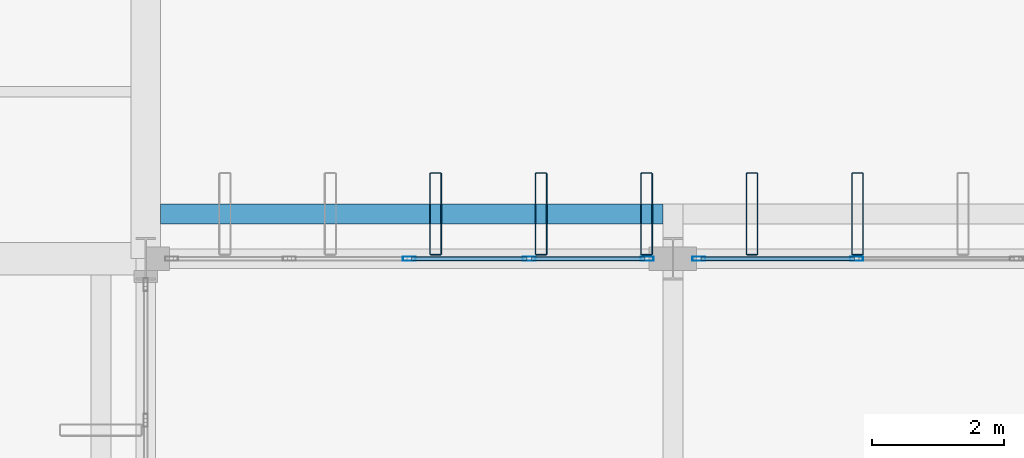
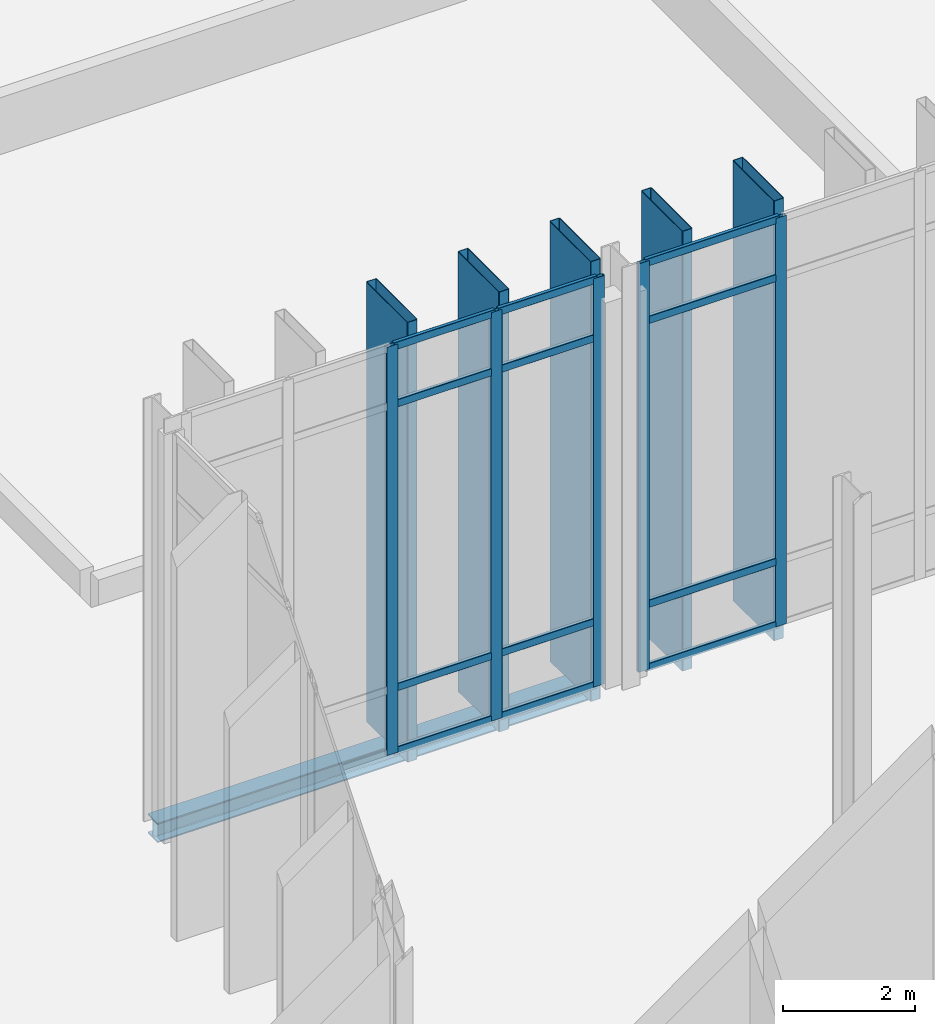
# One storey, part 60 of 176: 22 members, 1 beam, 2 elements without a shape of their own.
"""IFC4 building model written with IfcOpenShell, lengths in metres."""

from ifc_helpers import new_model, si_unit, direction, frame, origin, origin_2d, place, context, subcontext, project, spatial, hollow_rectangle, i_section, extrude, material, layer, layer_set, material_profile, profile_set, type_object, element, aggregate, save


model = new_model("IFC4")

# Units and contexts
model_context = context("Model", 3, precision=1e-05, world=origin(), true_north=direction((0.0, 1.0)))
body_context = subcontext(model_context, "Body", "Model", "MODEL_VIEW")
ifc_project = project(units=[si_unit("LENGTHUNIT", "METRE"), si_unit("AREAUNIT", "SQUARE_METRE"), si_unit("VOLUMEUNIT", "CUBIC_METRE"), si_unit("PLANEANGLEUNIT", "RADIAN"), si_unit("MASSUNIT", "GRAM", prefix="KILO")], contexts=[model_context])

# Site, building, storey
site_placement = place(None, origin())
site = spatial("IfcSite", under=ifc_project, at=site_placement, CompositionType="ELEMENT")
building_placement = place(site_placement, origin())
building = spatial("IfcBuilding", under=site, at=building_placement, Name="Vekula Escarpment Museum", CompositionType="ELEMENT")
storey_placement = place(building_placement, origin())
storey = spatial("IfcBuildingStorey", under=building, at=storey_placement, Name="L01", CompositionType="ELEMENT", Elevation=0.0)

# Beam
ifc_material_1 = material(Name="Steel S355", Category="steel")
ifc_material_profile_1 = material_profile(ifc_material_1, i_section(OverallWidth=0.300048828125, OverallDepth=0.360107421875, WebThickness=0.012451171875, FlangeThickness=0.0224609375, FilletRadius=0.027099609375, at=origin_2d()), Name="HEB 360")
ifc_profile_set_1 = profile_set([ifc_material_profile_1], Name="Steel S355")
beam_type = type_object("IfcBeamType", Name="BM-GIRD-HEB360", PredefinedType="BEAM", material=ifc_profile_set_1)
beam_placement = place(storey_placement, frame((70.22509765625, 91.080078125, -0.47998046875), z_axis=(1.0, 0.0, 0.0), x_axis=(0.0, 1.0, 0.0)))
element("IfcBeam", 1, at=beam_placement, inside=storey, type_object=beam_type, Name="Solar Fin Sill Girder 010", PredefinedType="BEAM", context=body_context, shape_type="SweptSolid", body=[
    extrude(i_section(OverallWidth=0.300048828125, OverallDepth=0.360107421875, WebThickness=0.012451171875, FlangeThickness=0.0224609375, FilletRadius=0.027099609375, at=origin_2d()), origin(), (0.0, 0.0, 1.0), 7.625),
])

# Curtain wall, members
ifc_material_2 = material(Name="Aluminium thermally broken framing", Category="aluminium")
ifc_layer_1 = layer(ifc_material_2, 0.169921875)
ifc_layer_set_1 = layer_set([ifc_layer_1], Name="Aluminium thermally broken framing")
curtain_wall_type_1 = type_object("IfcCurtainWallType", Name="CW-SYS-10", PredefinedType="NOTDEFINED", material=ifc_layer_set_1)
curtain_wall_1_placement = place(storey_placement, origin())
curtain_wall_1 = element("IfcCurtainWall", 2, at=curtain_wall_1_placement, inside=storey, type_object=curtain_wall_type_1, Name="Curtain Wall CW-L01-040", PredefinedType="NOTDEFINED")
ifc_material_3 = material(Name="Aluminium anodized mullion", Category="aluminium")
ifc_material_profile_2 = material_profile(ifc_material_3, hollow_rectangle(XDim=0.06494140625, YDim=0.199951171875, WallThickness=0.00390625, InnerFilletRadius=0.00390625, OuterFilletRadius=0.008056640625, at=origin_2d()), Name="ALU 200x65x4")
ifc_profile_set_2 = profile_set([ifc_material_profile_2], Name="Aluminium anodized mullion")
member_type_1 = type_object("IfcMemberType", Name="CW-MUL-200", PredefinedType="MULLION", material=ifc_profile_set_2)
member_1_placement = place(storey_placement, frame((80.78662109375, 90.39990234375, 0.0), z_axis=(0.0, 0.0, 1.0), x_axis=(0.0, -1.0, 0.0)))
member_1 = element("IfcMember", 3, at=member_1_placement, type_object=member_type_1, Name="CW-10 mullion 3", PredefinedType="MULLION", context=body_context, shape_type="SweptSolid", body=[
    extrude(hollow_rectangle(XDim=0.06494140625, YDim=0.199951171875, WallThickness=0.00390625, InnerFilletRadius=0.00390625, OuterFilletRadius=0.008056640625, at=origin_2d()), origin(), (0.0, 0.0, 1.0), 7.5400390625),
])
member_2_placement = place(storey_placement, frame((78.392578125, 90.39990234375, 0.0), z_axis=(0.0, 0.0, 1.0), x_axis=(0.0, -1.0, 0.0)))
member_2 = element("IfcMember", 4, at=member_2_placement, type_object=member_type_1, Name="CW-10 mullion 4", PredefinedType="MULLION", context=body_context, shape_type="SweptSolid", body=[
    extrude(hollow_rectangle(XDim=0.06494140625, YDim=0.199951171875, WallThickness=0.00390625, InnerFilletRadius=0.00390625, OuterFilletRadius=0.008056640625, at=origin_2d()), origin(), (0.0, 0.0, 1.0), 7.5400390625),
])

ifc_material_4 = material(Name="Aluminium thermally broken framing", Category="aluminium")
ifc_layer_2 = layer(ifc_material_4, 0.159912109375)
ifc_layer_set_2 = layer_set([ifc_layer_2], Name="Aluminium thermally broken framing")
curtain_wall_type_2 = type_object("IfcCurtainWallType", Name="CW-SYS-01", PredefinedType="NOTDEFINED", material=ifc_layer_set_2)
curtain_wall_2_placement = place(storey_placement, origin())
curtain_wall_2 = element("IfcCurtainWall", 5, at=curtain_wall_2_placement, inside=storey, type_object=curtain_wall_type_2, Name="Curtain Wall CW-L01-041", PredefinedType="NOTDEFINED")
member_3_placement = place(storey_placement, frame((77.607421875, 90.39990234375, 0.0), z_axis=(0.0, 0.0, 1.0), x_axis=(0.0, -1.0, 0.0)))
member_3 = element("IfcMember", 6, at=member_3_placement, type_object=member_type_1, Name="CW-01 mullion 1", PredefinedType="MULLION", context=body_context, shape_type="SweptSolid", body=[
    extrude(hollow_rectangle(XDim=0.06494140625, YDim=0.199951171875, WallThickness=0.00390625, InnerFilletRadius=0.00390625, OuterFilletRadius=0.008056640625, at=origin_2d()), origin(), (0.0, 0.0, 1.0), 7.5400390625),
])
member_4_placement = place(storey_placement, frame((75.820068359375, 90.39990234375, 0.0), z_axis=(0.0, 0.0, 1.0), x_axis=(0.0, -1.0, 0.0)))
member_4 = element("IfcMember", 7, at=member_4_placement, type_object=member_type_1, Name="CW-01 mullion 2", PredefinedType="MULLION", context=body_context, shape_type="SweptSolid", body=[
    extrude(hollow_rectangle(XDim=0.06494140625, YDim=0.199951171875, WallThickness=0.00390625, InnerFilletRadius=0.00390625, OuterFilletRadius=0.008056640625, at=origin_2d()), origin(), (0.0, 0.0, 1.0), 7.5400390625),
])
member_5_placement = place(storey_placement, frame((74.0, 90.39990234375, 0.0), z_axis=(0.0, 0.0, 1.0), x_axis=(0.0, -1.0, 0.0)))
member_5 = element("IfcMember", 8, at=member_5_placement, type_object=member_type_1, Name="CW-01 mullion 3", PredefinedType="MULLION", context=body_context, shape_type="SweptSolid", body=[
    extrude(hollow_rectangle(XDim=0.06494140625, YDim=0.199951171875, WallThickness=0.00390625, InnerFilletRadius=0.00390625, OuterFilletRadius=0.008056640625, at=origin_2d()), origin(), (0.0, 0.0, 1.0), 7.5400390625),
])

# Member
ifc_material_5 = material(Name="Aluminium anodized transom", Category="aluminium")
ifc_material_profile_3 = material_profile(ifc_material_5, hollow_rectangle(XDim=0.06494140625, YDim=0.139892578125, WallThickness=0.00390625, InnerFilletRadius=0.00390625, OuterFilletRadius=0.008056640625, at=origin_2d()), Name="ALU 140x65x4")
ifc_profile_set_3 = profile_set([ifc_material_profile_3], Name="Aluminium anodized transom")
member_type_2 = type_object("IfcMemberType", Name="CW-TRN-140", PredefinedType="USERDEFINED", material=ifc_profile_set_3)
member_6_placement = place(storey_placement, frame((80.754150390625, 90.39990234375, 0.032470703125), z_axis=(-1.0, 0.0, 0.0), x_axis=(0.0, -1.0, 0.0)))
member_6 = element("IfcMember", 9, at=member_6_placement, type_object=member_type_2, Name="CW-10 transom 3.1", ObjectType="TRANSOM", PredefinedType="USERDEFINED", context=body_context, shape_type="SweptSolid", body=[
    extrude(hollow_rectangle(XDim=0.06494140625, YDim=0.139892578125, WallThickness=0.00390625, InnerFilletRadius=0.00390625, OuterFilletRadius=0.008056640625, at=origin_2d()), origin(), (0.0, 0.0, 1.0), 2.3291015625),
])

member_7_placement = place(storey_placement, frame((80.754150390625, 90.39990234375, 1.199951171875), z_axis=(-1.0, 0.0, 0.0), x_axis=(0.0, -1.0, 0.0)))
member_7 = element("IfcMember", 10, at=member_7_placement, type_object=member_type_2, Name="CW-10 transom 3.2", ObjectType="TRANSOM", PredefinedType="USERDEFINED", context=body_context, shape_type="SweptSolid", body=[
    extrude(hollow_rectangle(XDim=0.06494140625, YDim=0.139892578125, WallThickness=0.00390625, InnerFilletRadius=0.00390625, OuterFilletRadius=0.008056640625, at=origin_2d()), origin(), (0.0, 0.0, 1.0), 2.3291015625),
])

member_8_placement = place(storey_placement, frame((80.754150390625, 90.39990234375, 6.43994140625), z_axis=(-1.0, 0.0, 0.0), x_axis=(0.0, -1.0, 0.0)))
member_8 = element("IfcMember", 11, at=member_8_placement, type_object=member_type_2, Name="CW-10 transom 3.3", ObjectType="TRANSOM", PredefinedType="USERDEFINED", context=body_context, shape_type="SweptSolid", body=[
    extrude(hollow_rectangle(XDim=0.06494140625, YDim=0.139892578125, WallThickness=0.00390625, InnerFilletRadius=0.00390625, OuterFilletRadius=0.008056640625, at=origin_2d()), origin(), (0.0, 0.0, 1.0), 2.3291015625),
])

member_9_placement = place(storey_placement, frame((80.754150390625, 90.39990234375, 7.507568359375), z_axis=(-1.0, 0.0, 0.0), x_axis=(0.0, -1.0, 0.0)))
member_9 = element("IfcMember", 12, at=member_9_placement, type_object=member_type_2, Name="CW-10 transom 3.4", ObjectType="TRANSOM", PredefinedType="USERDEFINED", context=body_context, shape_type="SweptSolid", body=[
    extrude(hollow_rectangle(XDim=0.06494140625, YDim=0.139892578125, WallThickness=0.00390625, InnerFilletRadius=0.00390625, OuterFilletRadius=0.008056640625, at=origin_2d()), origin(), (0.0, 0.0, 1.0), 2.3291015625),
])

aggregate(curtain_wall_1, [member_1, member_2, member_6, member_7, member_8, member_9])

member_10_placement = place(storey_placement, frame((77.574951171875, 90.39990234375, 0.032470703125), z_axis=(-1.0, 0.0, 0.0), x_axis=(0.0, -1.0, 0.0)))
member_10 = element("IfcMember", 13, at=member_10_placement, type_object=member_type_2, Name="CW-01 transom 1.1", ObjectType="TRANSOM", PredefinedType="USERDEFINED", context=body_context, shape_type="SweptSolid", body=[
    extrude(hollow_rectangle(XDim=0.06494140625, YDim=0.139892578125, WallThickness=0.00390625, InnerFilletRadius=0.00390625, OuterFilletRadius=0.008056640625, at=origin_2d()), origin(), (0.0, 0.0, 1.0), 1.722412109375),
])

member_11_placement = place(storey_placement, frame((77.574951171875, 90.39990234375, 1.199951171875), z_axis=(-1.0, 0.0, 0.0), x_axis=(0.0, -1.0, 0.0)))
member_11 = element("IfcMember", 14, at=member_11_placement, type_object=member_type_2, Name="CW-01 transom 1.2", ObjectType="TRANSOM", PredefinedType="USERDEFINED", context=body_context, shape_type="SweptSolid", body=[
    extrude(hollow_rectangle(XDim=0.06494140625, YDim=0.139892578125, WallThickness=0.00390625, InnerFilletRadius=0.00390625, OuterFilletRadius=0.008056640625, at=origin_2d()), origin(), (0.0, 0.0, 1.0), 1.722412109375),
])

member_12_placement = place(storey_placement, frame((77.574951171875, 90.39990234375, 6.43994140625), z_axis=(-1.0, 0.0, 0.0), x_axis=(0.0, -1.0, 0.0)))
member_12 = element("IfcMember", 15, at=member_12_placement, type_object=member_type_2, Name="CW-01 transom 1.3", ObjectType="TRANSOM", PredefinedType="USERDEFINED", context=body_context, shape_type="SweptSolid", body=[
    extrude(hollow_rectangle(XDim=0.06494140625, YDim=0.139892578125, WallThickness=0.00390625, InnerFilletRadius=0.00390625, OuterFilletRadius=0.008056640625, at=origin_2d()), origin(), (0.0, 0.0, 1.0), 1.722412109375),
])

member_13_placement = place(storey_placement, frame((77.574951171875, 90.39990234375, 7.507568359375), z_axis=(-1.0, 0.0, 0.0), x_axis=(0.0, -1.0, 0.0)))
member_13 = element("IfcMember", 16, at=member_13_placement, type_object=member_type_2, Name="CW-01 transom 1.4", ObjectType="TRANSOM", PredefinedType="USERDEFINED", context=body_context, shape_type="SweptSolid", body=[
    extrude(hollow_rectangle(XDim=0.06494140625, YDim=0.139892578125, WallThickness=0.00390625, InnerFilletRadius=0.00390625, OuterFilletRadius=0.008056640625, at=origin_2d()), origin(), (0.0, 0.0, 1.0), 1.722412109375),
])

member_14_placement = place(storey_placement, frame((75.78759765625, 90.39990234375, 0.032470703125), z_axis=(-1.0, 0.0, 0.0), x_axis=(0.0, -1.0, 0.0)))
member_14 = element("IfcMember", 17, at=member_14_placement, type_object=member_type_2, Name="CW-01 transom 2.1", ObjectType="TRANSOM", PredefinedType="USERDEFINED", context=body_context, shape_type="SweptSolid", body=[
    extrude(hollow_rectangle(XDim=0.06494140625, YDim=0.139892578125, WallThickness=0.00390625, InnerFilletRadius=0.00390625, OuterFilletRadius=0.008056640625, at=origin_2d()), origin(), (0.0, 0.0, 1.0), 1.755126953125),
])

member_15_placement = place(storey_placement, frame((75.78759765625, 90.39990234375, 1.199951171875), z_axis=(-1.0, 0.0, 0.0), x_axis=(0.0, -1.0, 0.0)))
member_15 = element("IfcMember", 18, at=member_15_placement, type_object=member_type_2, Name="CW-01 transom 2.2", ObjectType="TRANSOM", PredefinedType="USERDEFINED", context=body_context, shape_type="SweptSolid", body=[
    extrude(hollow_rectangle(XDim=0.06494140625, YDim=0.139892578125, WallThickness=0.00390625, InnerFilletRadius=0.00390625, OuterFilletRadius=0.008056640625, at=origin_2d()), origin(), (0.0, 0.0, 1.0), 1.755126953125),
])

member_16_placement = place(storey_placement, frame((75.78759765625, 90.39990234375, 6.43994140625), z_axis=(-1.0, 0.0, 0.0), x_axis=(0.0, -1.0, 0.0)))
member_16 = element("IfcMember", 19, at=member_16_placement, type_object=member_type_2, Name="CW-01 transom 2.3", ObjectType="TRANSOM", PredefinedType="USERDEFINED", context=body_context, shape_type="SweptSolid", body=[
    extrude(hollow_rectangle(XDim=0.06494140625, YDim=0.139892578125, WallThickness=0.00390625, InnerFilletRadius=0.00390625, OuterFilletRadius=0.008056640625, at=origin_2d()), origin(), (0.0, 0.0, 1.0), 1.755126953125),
])

member_17_placement = place(storey_placement, frame((75.78759765625, 90.39990234375, 7.507568359375), z_axis=(-1.0, 0.0, 0.0), x_axis=(0.0, -1.0, 0.0)))
member_17 = element("IfcMember", 20, at=member_17_placement, type_object=member_type_2, Name="CW-01 transom 2.4", ObjectType="TRANSOM", PredefinedType="USERDEFINED", context=body_context, shape_type="SweptSolid", body=[
    extrude(hollow_rectangle(XDim=0.06494140625, YDim=0.139892578125, WallThickness=0.00390625, InnerFilletRadius=0.00390625, OuterFilletRadius=0.008056640625, at=origin_2d()), origin(), (0.0, 0.0, 1.0), 1.755126953125),
])

aggregate(curtain_wall_2, [member_3, member_4, member_5, member_10, member_11, member_12, member_13, member_14, member_15, member_16, member_17])

# Members
ifc_material_6 = material(Name="Steel S355 weathered bronze solar fin", Category="steel")
ifc_material_profile_4 = material_profile(ifc_material_6, hollow_rectangle(XDim=0.179931640625, YDim=1.25, WallThickness=0.010009765625, InnerFilletRadius=0.010009765625, OuterFilletRadius=0.02001953125, at=origin_2d()), Name="RHS 1250x180x10")
ifc_profile_set_4 = profile_set([ifc_material_profile_4], Name="Steel S355 weathered bronze solar fin")
member_type_3 = type_object("IfcMemberType", Name="MB-SOLAR-FIN", PredefinedType="USERDEFINED", material=ifc_profile_set_4)
for number, where, z_axis, x_axis, name in (
    (21, (74.39990234375, 91.080078125, -0.320068359375), (0.0, 0.0, 1.0), (1.0, 0.0, 0.0), "Great Hall Vertical Solar Fin 0141"),
    (22, (76.0, 91.080078125, -0.320068359375), (0.0, 0.0, 1.0), (1.0, 0.0, 0.0), "Great Hall Vertical Solar Fin 0146"),
    (23, (77.60009765625, 91.080078125, -0.320068359375), (0.0, 0.0, 1.0), (1.0, 0.0, 0.0), "Great Hall Vertical Solar Fin 0151"),
    (24, (79.199951171875, 91.080078125, -0.320068359375), (0.0, 0.0, 1.0), (1.0, 0.0, 0.0), "Great Hall Vertical Solar Fin 0156"),
    (25, (80.800048828125, 91.080078125, -0.320068359375), (0.0, 0.0, 1.0), (1.0, 0.0, 0.0), "Great Hall Vertical Solar Fin 0161"),
):
    element("IfcMember", number, at=place(storey_placement, frame(where, z_axis=z_axis, x_axis=x_axis)), inside=storey, type_object=member_type_3, Name=name, ObjectType="SOLAR FIN", PredefinedType="USERDEFINED", context=body_context, shape_type="SweptSolid", body=[
        extrude(hollow_rectangle(XDim=0.179931640625, YDim=1.25, WallThickness=0.010009765625, InnerFilletRadius=0.010009765625, OuterFilletRadius=0.02001953125, at=origin_2d()), origin(), (0.0, 0.0, 1.0), 8.1201171875),
    ])

save(model, "model.ifc")
